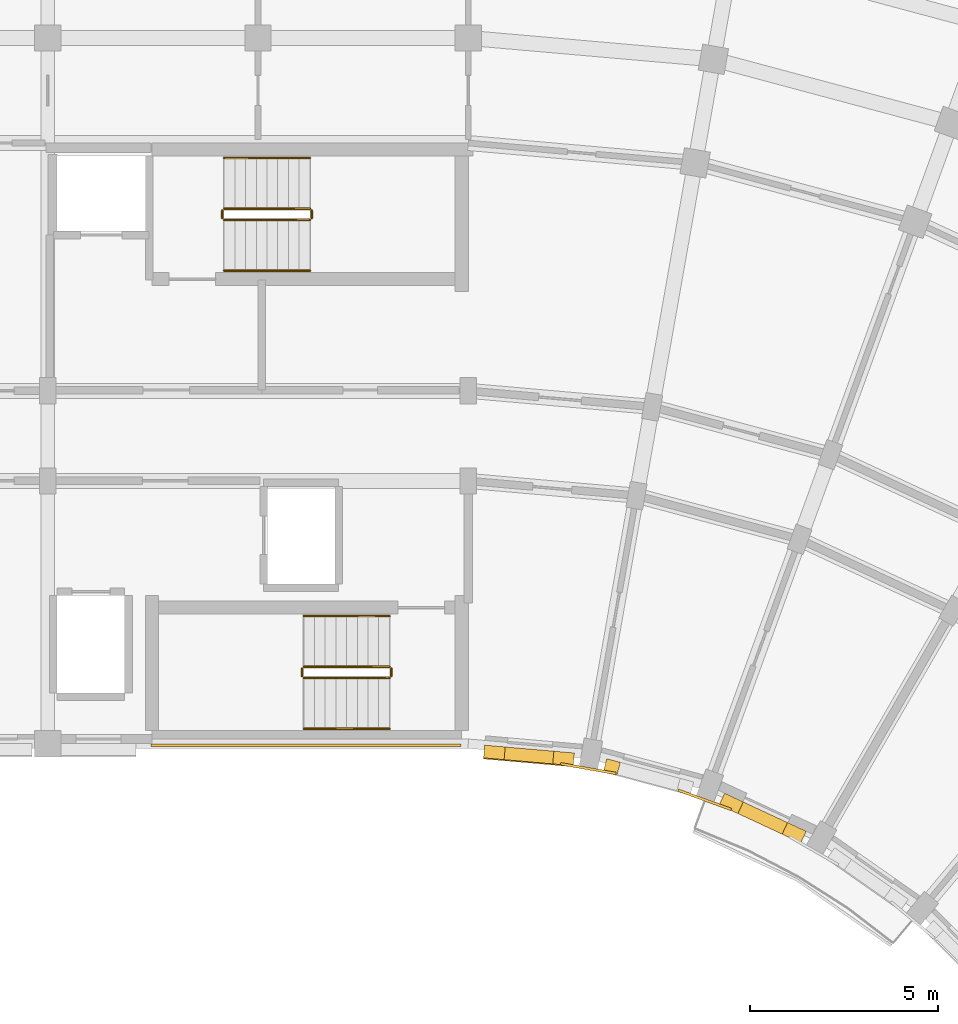
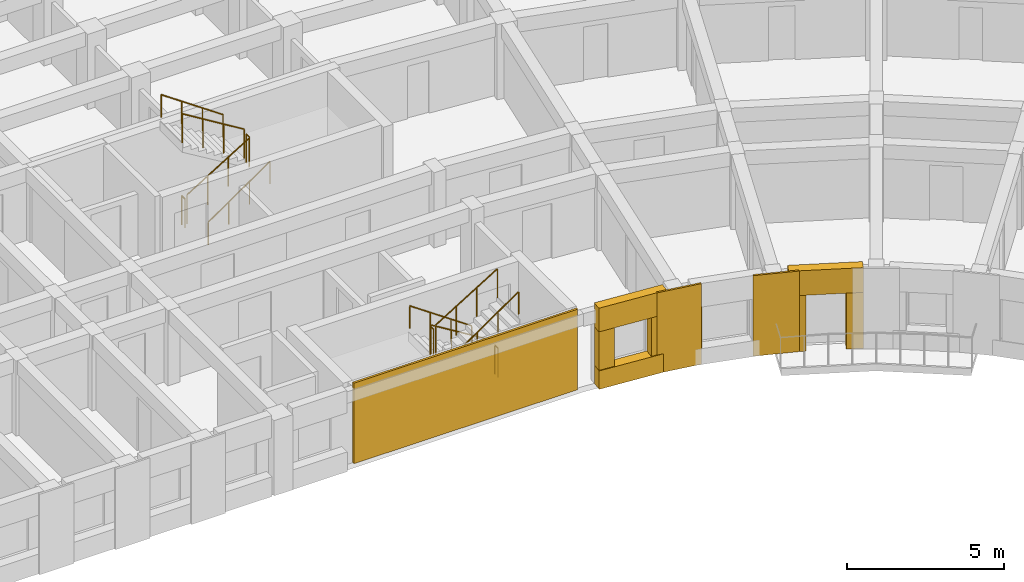
# One storey, part 51 of 57: 12 railings, 11 coverings.
"""IFC4 building model written with IfcOpenShell, lengths in metres."""

from ifc_helpers import new_model, si_unit, direction, frame, origin, origin_2d, place, context, subcontext, project, spatial, polyline, circle, outline, extrude, material, layer, layer_set, type_object, element, save


model = new_model("IFC4")

# Units and contexts
model_context = context("Model", 3, precision=1e-05, world=origin(), true_north=direction((0.0, 1.0)))
body_context = subcontext(model_context, "Body", "Model", "MODEL_VIEW")
ifc_project = project(units=[si_unit("LENGTHUNIT", "METRE"), si_unit("AREAUNIT", "SQUARE_METRE"), si_unit("VOLUMEUNIT", "CUBIC_METRE"), si_unit("PLANEANGLEUNIT", "RADIAN"), si_unit("MASSUNIT", "GRAM", prefix="KILO")], contexts=[model_context])

# Site, building, storey
site_placement = place(None, origin())
site = spatial("IfcSite", under=ifc_project, at=site_placement, CompositionType="ELEMENT")
building_placement = place(site_placement, origin())
building = spatial("IfcBuilding", under=site, at=building_placement, Name="Kiranvali Square Residences", CompositionType="ELEMENT")
storey_placement = place(building_placement, frame((0.0, 0.0, 18.14990234375)))
storey = spatial("IfcBuildingStorey", under=building, at=storey_placement, Name="L05", CompositionType="ELEMENT", Elevation=18.14990234375)

# Coverings
ifc_material_1 = material(Name="Honed Porbandar limestone ashlar facade cladding", Category="masonry")
ifc_layer_1 = layer(ifc_material_1, 0.3798828125)
ifc_layer_set_1 = layer_set([ifc_layer_1], Name="Honed Porbandar limestone ashlar facade cladding")
covering_type_1 = type_object("IfcCoveringType", Name="COV-CLAD-JAMB", PredefinedType="CLADDING", material=ifc_layer_set_1)
covering_1_placement = place(storey_placement, frame((0.0, 0.0, 0.72216796875)))
element("IfcCovering", 1, at=covering_1_placement, inside=storey, type_object=covering_type_1, Name="L05 deep limestone window jamb reveal B-L05-GDN-00.L", PredefinedType="CLADDING", context=body_context, shape_type="SweptSolid", body=[
    extrude(outline(polyline([(120.208740234375, 106.222900390625), (120.755126953125, 106.175048828125), (120.78466796875, 106.513427734375), (120.23828125, 106.56103515625), (120.208740234375, 106.222900390625)])), origin(), (0.0, 0.0, 1.0), 1.5),
])
covering_2_placement = place(storey_placement, frame((0.0, 0.0, 0.72216796875)))
element("IfcCovering", 2, at=covering_2_placement, inside=storey, type_object=covering_type_1, Name="L05 deep limestone window jamb reveal B-L05-GDN-00.R", PredefinedType="CLADDING", context=body_context, shape_type="SweptSolid", body=[
    extrude(outline(polyline([(122.05029296875, 106.061767578125), (122.5966796875, 106.013916015625), (122.626220703125, 106.352294921875), (122.079833984375, 106.400146484375), (122.05029296875, 106.061767578125)])), origin(), (0.0, 0.0, 1.0), 1.5),
])
covering_3_placement = place(storey_placement, frame((0.0, 0.0, 0.6220703125)))
element("IfcCovering", 3, at=covering_3_placement, inside=storey, type_object=covering_type_1, Name="L05 deep limestone window jamb reveal B-L05-GDN-01.L", PredefinedType="CLADDING", context=body_context, shape_type="SweptSolid", body=[
    extrude(outline(polyline([(123.401611328125, 105.8720703125), (123.762451171875, 105.775390625), (123.850341796875, 106.103271484375), (123.489501953125, 106.199951171875), (123.401611328125, 105.8720703125)])), origin(), (0.0, 0.0, 1.0), 1.60009765625),
])
covering_4_placement = place(storey_placement, origin())
element("IfcCovering", 4, at=covering_4_placement, inside=storey, type_object=covering_type_1, Name="L05 deep limestone window jamb reveal B-L05-GDN-02.L", PredefinedType="CLADDING", context=body_context, shape_type="SweptSolid", body=[
    extrude(outline(polyline([(126.485107421875, 104.97216796875), (126.982177734375, 104.740234375), (127.125732421875, 105.048095703125), (126.62841796875, 105.27978515625), (126.485107421875, 104.97216796875)])), origin(), (0.0, 0.0, 1.0), 2.18017578125),
])
covering_5_placement = place(storey_placement, origin())
element("IfcCovering", 5, at=covering_5_placement, inside=storey, type_object=covering_type_1, Name="L05 deep limestone window jamb reveal B-L05-GDN-02.R", PredefinedType="CLADDING", context=body_context, shape_type="SweptSolid", body=[
    extrude(outline(polyline([(128.160400390625, 104.19091796875), (128.657470703125, 103.958984375), (128.801025390625, 104.266845703125), (128.303955078125, 104.49853515625), (128.160400390625, 104.19091796875)])), origin(), (0.0, 0.0, 1.0), 2.18017578125),
])
ifc_layer_2 = layer(ifc_material_1, 0.06494140625)
ifc_layer_set_2 = layer_set([ifc_layer_2], Name="Honed Porbandar limestone ashlar facade cladding")
covering_type_2 = type_object("IfcCoveringType", Name="COV-CLAD-PIER", PredefinedType="CLADDING", material=ifc_layer_set_2)
covering_6_placement = place(storey_placement, frame((0.0, 0.0, 0.005126953125)))
element("IfcCovering", 6, at=covering_6_placement, inside=storey, type_object=covering_type_2, Name="Block B L05 garden stair limestone ashlar cladding", PredefinedType="CLADDING", context=body_context, shape_type="SweptSolid", body=[
    extrude(outline(polyline([(119.60009765625, 106.597900390625), (111.35009765625, 106.597900390625), (111.35009765625, 106.52001953125), (119.60009765625, 106.52001953125), (119.60009765625, 106.597900390625)])), origin(), (0.0, 0.0, 1.0), 3.139892578125),
])
ifc_layer_3 = layer(ifc_material_1, 0.050048828125)
ifc_layer_set_3 = layer_set([ifc_layer_3], Name="Honed Porbandar limestone ashlar facade cladding")
covering_type_3 = type_object("IfcCoveringType", Name="COV-CLAD-PIER-IN", PredefinedType="CLADDING", material=ifc_layer_set_3)
covering_7_placement = place(storey_placement, frame((0.0, 0.0, 0.005126953125)))
element("IfcCovering", 7, at=covering_7_placement, inside=storey, type_object=covering_type_3, Name="L05 Classical garden courtyard pilaster CLAD-PRIN-B-L05-A01", PredefinedType="CLADDING", context=body_context, shape_type="SweptSolid", body=[
    extrude(outline(polyline([(122.25341796875, 106.032958984375), (123.730712890625, 105.7724609375), (123.742431640625, 105.8388671875), (122.26513671875, 106.099365234375), (122.25341796875, 106.032958984375)])), origin(), (0.0, 0.0, 1.0), 3.139892578125),
])
covering_8_placement = place(storey_placement, frame((0.0, 0.0, 0.005126953125)))
element("IfcCovering", 8, at=covering_8_placement, inside=storey, type_object=covering_type_3, Name="L05 Classical garden courtyard pilaster CLAD-PRIN-B-L05-A02", PredefinedType="CLADDING", context=body_context, shape_type="SweptSolid", body=[
    extrude(outline(polyline([(125.38232421875, 105.329833984375), (126.791748046875, 104.81689453125), (126.81494140625, 104.88037109375), (125.4052734375, 105.393310546875), (125.38232421875, 105.329833984375)])), origin(), (0.0, 0.0, 1.0), 3.139892578125),
])
ifc_layer_4 = layer(ifc_material_1, 0.360107421875)
ifc_layer_set_4 = layer_set([ifc_layer_4], Name="Honed Porbandar limestone ashlar facade cladding")
covering_type_4 = type_object("IfcCoveringType", Name="COV-CLAD-WALL", PredefinedType="CLADDING", material=ifc_layer_set_4)
covering_9_placement = place(storey_placement, frame((0.0, 0.0, 2.22216796875)))
element("IfcCovering", 9, at=covering_9_placement, inside=storey, type_object=covering_type_4, Name="L05 light limestone spandrel lintel B-L05-GDN-00", PredefinedType="CLADDING", context=body_context, shape_type="SweptSolid", body=[
    extrude(outline(polyline([(120.208740234375, 106.222900390625), (122.5966796875, 106.013916015625), (122.626220703125, 106.352294921875), (120.23828125, 106.56103515625), (120.208740234375, 106.222900390625)])), origin(), (0.0, 0.0, 1.0), 0.9228515625),
])
covering_10_placement = place(storey_placement, frame((0.0, 0.0, 2.18017578125)))
element("IfcCovering", 10, at=covering_10_placement, inside=storey, type_object=covering_type_4, Name="L05 light limestone spandrel lintel B-L05-GDN-02", PredefinedType="CLADDING", context=body_context, shape_type="SweptSolid", body=[
    extrude(outline(polyline([(126.485107421875, 104.97216796875), (128.657470703125, 103.958984375), (128.801025390625, 104.266845703125), (126.62841796875, 105.27978515625), (126.485107421875, 104.97216796875)])), origin(), (0.0, 0.0, 1.0), 0.96484375),
])
ifc_layer_5 = layer(ifc_material_1, 0.2900390625)
ifc_layer_set_5 = layer_set([ifc_layer_5], Name="Honed Porbandar limestone ashlar facade cladding")
covering_type_5 = type_object("IfcCoveringType", Name="COV-CLAD-WALL-IN", PredefinedType="CLADDING", material=ifc_layer_set_5)
covering_11_placement = place(storey_placement, frame((0.0, 0.0, 0.005126953125)))
element("IfcCovering", 11, at=covering_11_placement, inside=storey, type_object=covering_type_5, Name="L05 limestone window sill apron B-L05-GDN-00", PredefinedType="CLADDING", context=body_context, shape_type="SweptSolid", body=[
    extrude(outline(polyline([(120.2060546875, 106.193115234375), (122.593994140625, 105.984130859375), (122.626220703125, 106.352294921875), (120.23828125, 106.56103515625), (120.2060546875, 106.193115234375)])), origin(), (0.0, 0.0, 1.0), 0.717041015625),
])

# Railings
ifc_material_2 = material(Name="Brushed stainless steel tubular handrail", Category="steel")
railing_type_1 = type_object("IfcRailingType", Name="RL-HANDRAIL-900", PredefinedType="HANDRAIL", material=ifc_material_2)
railing_1_placement = place(storey_placement, frame((113.300048828125, 119.199951171875, 0.175048828125)))
element("IfcRailing", 12, at=railing_1_placement, inside=storey, type_object=railing_type_1, Name="L05 ST-B1 stair handrail 1", PredefinedType="HANDRAIL", context=body_context, shape_type="SweptSolid", body=[
    extrude(circle(Radius=0.02392578125, at=origin_2d()), frame((0.0, 0.0, 0.8759765625), z_axis=(0.82278801735, 0.0, 0.568348377763), x_axis=(0.0, 1.0, 0.0)), (0.0, 0.0, 1.0), 2.77099609375),
    extrude(circle(Radius=0.02099609375, at=origin_2d()), origin(), (0.0, 0.0, 1.0), 0.851806640625),
    extrude(circle(Radius=0.02099609375, at=origin_2d()), frame((0.760009765625, 0.0, 0.52490234375)), (0.0, 0.0, 1.0), 0.851806640625),
    extrude(circle(Radius=0.02099609375, at=origin_2d()), frame((1.52001953125, 0.0, 1.050048828125)), (0.0, 0.0, 1.0), 0.851806640625),
    extrude(circle(Radius=0.02099609375, at=origin_2d()), frame((2.280029296875, 0.0, 1.574951171875)), (0.0, 0.0, 1.0), 0.851806640625),
])
railing_2_placement = place(storey_placement, frame((115.580078125, 122.199951171875, 1.75)))
element("IfcRailing", 13, at=railing_2_placement, inside=storey, type_object=railing_type_1, Name="L05 ST-B1 stair handrail 2", PredefinedType="HANDRAIL", context=body_context, shape_type="SweptSolid", body=[
    extrude(circle(Radius=0.02392578125, at=origin_2d()), frame((0.0, 0.0, 0.8759765625), z_axis=(-0.82274681792, 0.0, 0.568408016835), x_axis=(0.0, -1.0, 0.0)), (0.0, 0.0, 1.0), 2.771240234375),
    extrude(circle(Radius=0.02099609375, at=origin_2d()), origin(), (0.0, 0.0, 1.0), 0.851806640625),
    extrude(circle(Radius=0.02099609375, at=origin_2d()), frame((-0.760009765625, 0.0, 0.525146484375)), (0.0, 0.0, 1.0), 0.851806640625),
    extrude(circle(Radius=0.02099609375, at=origin_2d()), frame((-1.52001953125, 0.0, 1.050048828125)), (0.0, 0.0, 1.0), 0.851806640625),
    extrude(circle(Radius=0.02099609375, at=origin_2d()), frame((-2.280029296875, 0.0, 1.5751953125)), (0.0, 0.0, 1.0), 0.851806640625),
])
railing_3_placement = place(storey_placement, frame((117.699951171875, 110.0, 0.175048828125)))
element("IfcRailing", 14, at=railing_3_placement, inside=storey, type_object=railing_type_1, Name="L05 ST-B2 stair handrail 1", PredefinedType="HANDRAIL", context=body_context, shape_type="SweptSolid", body=[
    extrude(circle(Radius=0.02392578125, at=origin_2d()), frame((0.0, 0.0, 0.8759765625), z_axis=(-0.82278801735, 0.0, 0.568348377763), x_axis=(0.0, -1.0, 0.0)), (0.0, 0.0, 1.0), 2.77099609375),
    extrude(circle(Radius=0.02099609375, at=origin_2d()), origin(), (0.0, 0.0, 1.0), 0.851806640625),
    extrude(circle(Radius=0.02099609375, at=origin_2d()), frame((-0.760009765625, 0.0, 0.52490234375)), (0.0, 0.0, 1.0), 0.851806640625),
    extrude(circle(Radius=0.02099609375, at=origin_2d()), frame((-1.52001953125, 0.0, 1.050048828125)), (0.0, 0.0, 1.0), 0.851806640625),
    extrude(circle(Radius=0.02099609375, at=origin_2d()), frame((-2.280029296875, 0.0, 1.574951171875)), (0.0, 0.0, 1.0), 0.851806640625),
])
railing_4_placement = place(storey_placement, frame((115.419921875, 107.0, 1.75)))
element("IfcRailing", 15, at=railing_4_placement, inside=storey, type_object=railing_type_1, Name="L05 ST-B2 stair handrail 2", PredefinedType="HANDRAIL", context=body_context, shape_type="SweptSolid", body=[
    extrude(circle(Radius=0.02392578125, at=origin_2d()), frame((0.0, 0.0, 0.8759765625), z_axis=(0.82274681792, 0.0, 0.568408016835), x_axis=(0.0, 1.0, 0.0)), (0.0, 0.0, 1.0), 2.771240234375),
    extrude(circle(Radius=0.02099609375, at=origin_2d()), origin(), (0.0, 0.0, 1.0), 0.851806640625),
    extrude(circle(Radius=0.02099609375, at=origin_2d()), frame((0.760009765625, 0.0, 0.525146484375)), (0.0, 0.0, 1.0), 0.851806640625),
    extrude(circle(Radius=0.02099609375, at=origin_2d()), frame((1.52001953125, 0.0, 1.050048828125)), (0.0, 0.0, 1.0), 0.851806640625),
    extrude(circle(Radius=0.02099609375, at=origin_2d()), frame((2.280029296875, 0.0, 1.5751953125)), (0.0, 0.0, 1.0), 0.851806640625),
])
ifc_material_3 = material(Name="Powder-coated architectural bronze balustrade", Category="steel")
railing_type_2 = type_object("IfcRailingType", Name="RL-ST-GUARD-1200", PredefinedType="GUARDRAIL", material=ifc_material_3)
railing_5_placement = place(storey_placement, frame((113.300048828125, 120.550048828125, 0.175048828125)))
element("IfcRailing", 16, at=railing_5_placement, inside=storey, type_object=railing_type_2, Name="L05 ST-B1 stair guard 1", PredefinedType="GUARDRAIL", context=body_context, shape_type="SweptSolid", body=[
    extrude(circle(Radius=0.02392578125, at=origin_2d()), frame((0.0, 0.0, 1.1259765625), z_axis=(0.852149810458, 0.0, 0.523297908018), x_axis=(0.0, 1.0, 0.0)), (0.0, 0.0, 1.0), 2.675537109375),
    extrude(circle(Radius=0.02099609375, at=origin_2d()), origin(), (0.0, 0.0, 1.0), 1.101806640625),
    extrude(circle(Radius=0.02099609375, at=origin_2d()), frame((0.760009765625, 0.0, 0.466796875)), (0.0, 0.0, 1.0), 1.101806640625),
    extrude(circle(Radius=0.02099609375, at=origin_2d()), frame((1.52001953125, 0.0, 0.933349609375)), (0.0, 0.0, 1.0), 1.101806640625),
    extrude(circle(Radius=0.02099609375, at=origin_2d()), frame((2.280029296875, 0.0, 1.400146484375)), (0.0, 0.0, 1.0), 1.101806640625),
])
railing_6_placement = place(storey_placement, frame((115.6298828125, 120.60009765625, 1.5751953125)))
element("IfcRailing", 17, at=railing_6_placement, inside=storey, type_object=railing_type_2, Name="L05 ST-B1 stair guard 2", PredefinedType="GUARDRAIL", context=body_context, shape_type="SweptSolid", body=[
    extrude(circle(Radius=0.02392578125, at=origin_2d()), frame((0.0, 0.0, 1.1259765625), z_axis=(0.0, 1.0, 0.0), x_axis=(-1.0, 0.0, 0.0)), (0.0, 0.0, 1.0), 0.199951171875),
    extrude(circle(Radius=0.02099609375, at=origin_2d()), origin(), (0.0, 0.0, 1.0), 1.101806640625),
    extrude(circle(Radius=0.02099609375, at=origin_2d()), frame((0.0, 0.199951171875, 0.0)), (0.0, 0.0, 1.0), 1.101806640625),
])
railing_7_placement = place(storey_placement, frame((115.580078125, 120.85009765625, 1.75)))
element("IfcRailing", 18, at=railing_7_placement, inside=storey, type_object=railing_type_2, Name="L05 ST-B1 stair guard 3", PredefinedType="GUARDRAIL", context=body_context, shape_type="SweptSolid", body=[
    extrude(circle(Radius=0.02392578125, at=origin_2d()), frame((0.0, 0.0, 1.1259765625), z_axis=(-0.852149810458, 0.0, 0.523297908018), x_axis=(0.0, -1.0, 0.0)), (0.0, 0.0, 1.0), 2.675537109375),
    extrude(circle(Radius=0.02099609375, at=origin_2d()), origin(), (0.0, 0.0, 1.0), 1.101806640625),
    extrude(circle(Radius=0.02099609375, at=origin_2d()), frame((-0.760009765625, 0.0, 0.466796875)), (0.0, 0.0, 1.0), 1.101806640625),
    extrude(circle(Radius=0.02099609375, at=origin_2d()), frame((-1.52001953125, 0.0, 0.933349609375)), (0.0, 0.0, 1.0), 1.101806640625),
    extrude(circle(Radius=0.02099609375, at=origin_2d()), frame((-2.280029296875, 0.0, 1.400146484375)), (0.0, 0.0, 1.0), 1.101806640625),
])
railing_8_placement = place(storey_placement, frame((113.25, 120.60009765625, 0.0)))
element("IfcRailing", 19, at=railing_8_placement, inside=storey, type_object=railing_type_2, Name="L05 ST-B1 stair guard 4", PredefinedType="GUARDRAIL", context=body_context, shape_type="SweptSolid", body=[
    extrude(circle(Radius=0.02392578125, at=origin_2d()), frame((0.0, 0.0, 1.1259765625), z_axis=(0.0, 1.0, 0.0), x_axis=(-1.0, 0.0, 0.0)), (0.0, 0.0, 1.0), 0.199951171875),
    extrude(circle(Radius=0.02099609375, at=origin_2d()), origin(), (0.0, 0.0, 1.0), 1.101806640625),
    extrude(circle(Radius=0.02099609375, at=origin_2d()), frame((0.0, 0.199951171875, 0.0)), (0.0, 0.0, 1.0), 1.101806640625),
])
railing_9_placement = place(storey_placement, frame((117.699951171875, 108.64990234375, 0.175048828125)))
element("IfcRailing", 20, at=railing_9_placement, inside=storey, type_object=railing_type_2, Name="L05 ST-B2 stair guard 1", PredefinedType="GUARDRAIL", context=body_context, shape_type="SweptSolid", body=[
    extrude(circle(Radius=0.02392578125, at=origin_2d()), frame((0.0, 0.0, 1.1259765625), z_axis=(-0.852149810458, 0.0, 0.523297908018), x_axis=(0.0, -1.0, 0.0)), (0.0, 0.0, 1.0), 2.675537109375),
    extrude(circle(Radius=0.02099609375, at=origin_2d()), origin(), (0.0, 0.0, 1.0), 1.101806640625),
    extrude(circle(Radius=0.02099609375, at=origin_2d()), frame((-0.760009765625, 0.0, 0.466796875)), (0.0, 0.0, 1.0), 1.101806640625),
    extrude(circle(Radius=0.02099609375, at=origin_2d()), frame((-1.52001953125, 0.0, 0.933349609375)), (0.0, 0.0, 1.0), 1.101806640625),
    extrude(circle(Radius=0.02099609375, at=origin_2d()), frame((-2.280029296875, 0.0, 1.400146484375)), (0.0, 0.0, 1.0), 1.101806640625),
])
railing_10_placement = place(storey_placement, frame((115.3701171875, 108.60009765625, 1.5751953125)))
element("IfcRailing", 21, at=railing_10_placement, inside=storey, type_object=railing_type_2, Name="L05 ST-B2 stair guard 2", PredefinedType="GUARDRAIL", context=body_context, shape_type="SweptSolid", body=[
    extrude(circle(Radius=0.02392578125, at=origin_2d()), frame((0.0, 0.0, 1.1259765625), z_axis=(0.0, -1.0, 0.0), x_axis=(1.0, 0.0, 0.0)), (0.0, 0.0, 1.0), 0.2001953125),
    extrude(circle(Radius=0.02099609375, at=origin_2d()), origin(), (0.0, 0.0, 1.0), 1.101806640625),
    extrude(circle(Radius=0.02099609375, at=origin_2d()), frame((0.0, -0.2001953125, 0.0)), (0.0, 0.0, 1.0), 1.101806640625),
])
railing_11_placement = place(storey_placement, frame((115.419921875, 108.35009765625, 1.75)))
element("IfcRailing", 22, at=railing_11_placement, inside=storey, type_object=railing_type_2, Name="L05 ST-B2 stair guard 3", PredefinedType="GUARDRAIL", context=body_context, shape_type="SweptSolid", body=[
    extrude(circle(Radius=0.02392578125, at=origin_2d()), frame((0.0, 0.0, 1.1259765625), z_axis=(0.852149810458, 0.0, 0.523297908018), x_axis=(0.0, 1.0, 0.0)), (0.0, 0.0, 1.0), 2.675537109375),
    extrude(circle(Radius=0.02099609375, at=origin_2d()), origin(), (0.0, 0.0, 1.0), 1.101806640625),
    extrude(circle(Radius=0.02099609375, at=origin_2d()), frame((0.760009765625, 0.0, 0.466796875)), (0.0, 0.0, 1.0), 1.101806640625),
    extrude(circle(Radius=0.02099609375, at=origin_2d()), frame((1.52001953125, 0.0, 0.933349609375)), (0.0, 0.0, 1.0), 1.101806640625),
    extrude(circle(Radius=0.02099609375, at=origin_2d()), frame((2.280029296875, 0.0, 1.400146484375)), (0.0, 0.0, 1.0), 1.101806640625),
])
railing_12_placement = place(storey_placement, frame((117.75, 108.60009765625, 0.0)))
element("IfcRailing", 23, at=railing_12_placement, inside=storey, type_object=railing_type_2, Name="L05 ST-B2 stair guard 4", PredefinedType="GUARDRAIL", context=body_context, shape_type="SweptSolid", body=[
    extrude(circle(Radius=0.02392578125, at=origin_2d()), frame((0.0, 0.0, 1.1259765625), z_axis=(0.0, -1.0, 0.0), x_axis=(1.0, 0.0, 0.0)), (0.0, 0.0, 1.0), 0.2001953125),
    extrude(circle(Radius=0.02099609375, at=origin_2d()), origin(), (0.0, 0.0, 1.0), 1.101806640625),
    extrude(circle(Radius=0.02099609375, at=origin_2d()), frame((0.0, -0.2001953125, 0.0)), (0.0, 0.0, 1.0), 1.101806640625),
])

save(model, "model.ifc")
